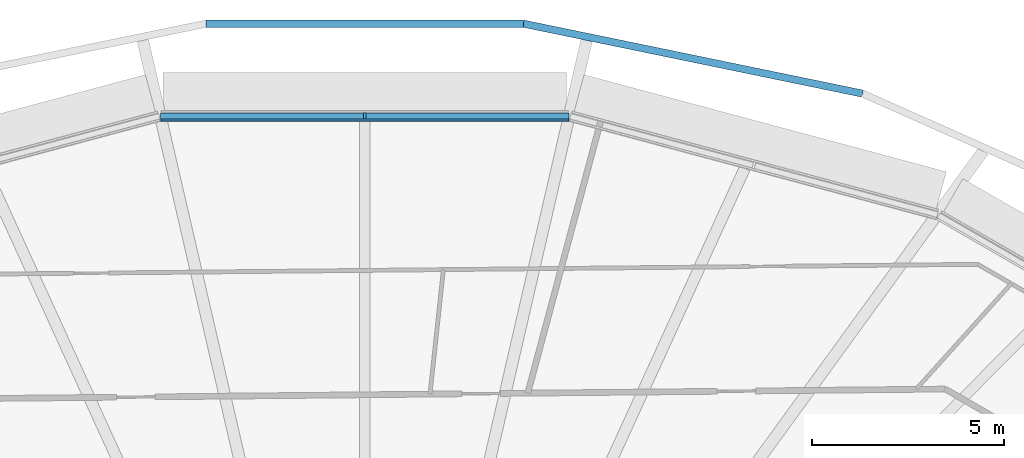
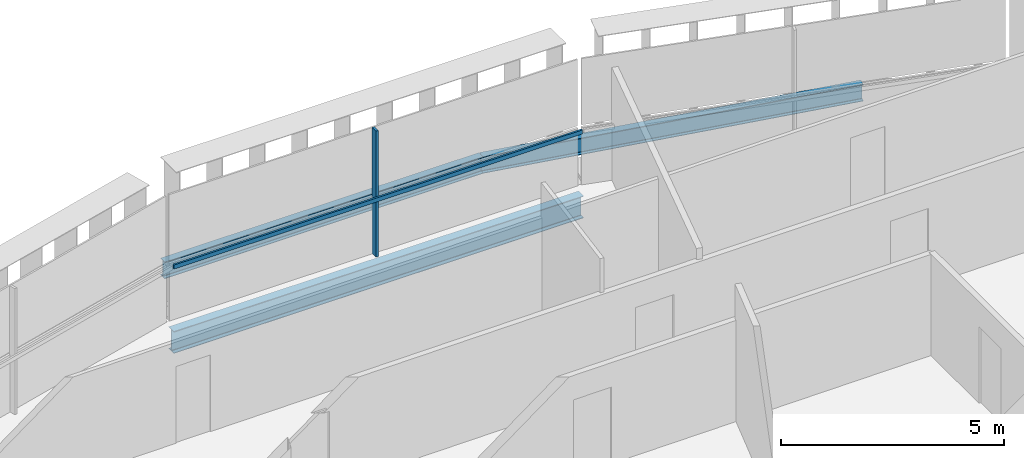
# One storey, part 8 of 22: 3 beams, 2 members, 1 element without a shape of its own.
"""IFC4 building model written with IfcOpenShell, lengths in metres."""

from ifc_helpers import new_model, si_unit, direction, frame, origin, origin_2d, place, context, subcontext, project, spatial, rectangle, i_section, extrude, material, layer, layer_set, material_profile, profile_set, type_object, element, aggregate, save


model = new_model("IFC4")

# Units and contexts
model_context = context("Model", 3, precision=1e-05, world=origin(), true_north=direction((0.0, 1.0)))
body_context = subcontext(model_context, "Body", "Model", "MODEL_VIEW")
ifc_project = project(units=[si_unit("LENGTHUNIT", "METRE"), si_unit("AREAUNIT", "SQUARE_METRE"), si_unit("VOLUMEUNIT", "CUBIC_METRE"), si_unit("PLANEANGLEUNIT", "RADIAN"), si_unit("MASSUNIT", "GRAM", prefix="KILO")], contexts=[model_context])

# Site, building, storey
site_placement = place(None, origin())
site = spatial("IfcSite", under=ifc_project, at=site_placement, CompositionType="ELEMENT")
building_placement = place(site_placement, origin())
building = spatial("IfcBuilding", under=site, at=building_placement, Name="Sahrelin Media Tower", CompositionType="ELEMENT")
storey_placement = place(building_placement, frame((0.0, 0.0, 189.60009765625)))
storey = spatial("IfcBuildingStorey", under=building, at=storey_placement, Name="L40", CompositionType="ELEMENT", Elevation=189.60009765625)

# Beam
ifc_material_1 = material(Name="Steel S355", Category="steel")
ifc_material_profile_1 = material_profile(ifc_material_1, i_section(OverallWidth=0.2275390625, OverallDepth=0.6025390625, WebThickness=0.010498046875, FlangeThickness=0.014892578125, FilletRadius=0.0126953125, at=origin_2d()), Name="UB 610x229x101")
ifc_profile_set_1 = profile_set([ifc_material_profile_1], Name="Steel S355")
beam_type_1 = type_object("IfcBeamType", Name="Edge beam EB7", PredefinedType="BEAM", material=ifc_profile_set_1)
beam_1_placement = place(storey_placement, frame((-5.305419921875, 22.97900390625, -0.451416015625), z_axis=(1.0, 0.0, 0.0), x_axis=(0.0, 1.0, 0.0)))
element("IfcBeam", 1, at=beam_1_placement, inside=storey, type_object=beam_type_1, Name="Edge beam L40-19", PredefinedType="BEAM", context=body_context, shape_type="SweptSolid", body=[
    extrude(i_section(OverallWidth=0.2275390625, OverallDepth=0.6025390625, WebThickness=0.010498046875, FlangeThickness=0.014892578125, FilletRadius=0.0126953125, at=origin_2d()), origin(), (0.0, 0.0, 1.0), 10.61083984375),
])

# Curtain wall, member
ifc_material_2 = material(Name="Champagne anodised aluminium 6063-T6", Category="aluminium")
ifc_layer = layer(ifc_material_2, 0.14990234375)
ifc_layer_set = layer_set([ifc_layer], Name="Tower ribbon curtain wall")
curtain_wall_type = type_object("IfcCurtainWallType", Name="Tower ribbon curtain wall", PredefinedType="NOTDEFINED", material=ifc_layer_set)
curtain_wall_placement = place(storey_placement, frame((0.0, 23.12890625, 0.0), z_axis=(0.0, 0.0, 1.0), x_axis=(1.0, 0.0, 0.0)))
curtain_wall = element("IfcCurtainWall", 2, at=curtain_wall_placement, inside=storey, type_object=curtain_wall_type, Name="L40:CW:L40-06", PredefinedType="NOTDEFINED")
ifc_material_profile_2 = material_profile(ifc_material_2, rectangle(XDim=0.06005859375, YDim=0.175048828125, at=origin_2d()), Name="Mullion 60x175")
ifc_profile_set_2 = profile_set([ifc_material_profile_2], Name="Champagne anodised aluminium 6063-T6")
member_type_1 = type_object("IfcMemberType", Name="Mullion 60x175 CW1B", PredefinedType="MULLION", material=ifc_profile_set_2)
member_1_placement = place(storey_placement, frame((0.0, 23.021484375, 0.0), z_axis=(0.0, 0.0, 1.0), x_axis=(-1.0, 0.0, 0.0)))
member_1 = element("IfcMember", 3, at=member_1_placement, type_object=member_type_1, Name="L40:CWM:L40-06", PredefinedType="MULLION", context=body_context, shape_type="SweptSolid", body=[
    extrude(rectangle(XDim=0.06005859375, YDim=0.175048828125, at=origin_2d()), origin(), (0.0, 0.0, 1.0), 3.448486328125),
])

# Beams
ifc_material_profile_3 = material_profile(ifc_material_1, i_section(OverallWidth=0.1904296875, OverallDepth=0.45703125, WebThickness=0.009033203125, FlangeThickness=0.014404296875, FilletRadius=0.01025390625, at=origin_2d()), Name="UB 457x191x74")
ifc_profile_set_3 = profile_set([ifc_material_profile_3], Name="Steel S355")
beam_type_2 = type_object("IfcBeamType", Name="Tie chord TC5", PredefinedType="BEAM", material=ifc_profile_set_3)
beam_2_placement = place(storey_placement, frame((12.93994140625, 23.59521484375, -0.378662109375), z_axis=(-0.979392100264, 0.201968101292, 0.0), x_axis=(-0.201968101292, -0.979392100264, 0.0)))
element("IfcBeam", 4, at=beam_2_placement, inside=storey, type_object=beam_type_2, Name="Tie chord L40-05", PredefinedType="BEAM", context=body_context, shape_type="SweptSolid", body=[
    extrude(i_section(OverallWidth=0.1904296875, OverallDepth=0.45703125, WebThickness=0.009033203125, FlangeThickness=0.014404296875, FilletRadius=0.01025390625, at=origin_2d()), origin(), (0.0, 0.0, 1.0), 9.00439453125),
])
beam_3_placement = place(storey_placement, frame((4.12109375, 25.413818359375, -0.378662109375), z_axis=(-1.0, 0.0, 0.0), x_axis=(0.0, -1.0, 0.0)))
element("IfcBeam", 5, at=beam_3_placement, inside=storey, type_object=beam_type_2, Name="Tie chord L40-06", PredefinedType="BEAM", context=body_context, shape_type="SweptSolid", body=[
    extrude(i_section(OverallWidth=0.1904296875, OverallDepth=0.45703125, WebThickness=0.009033203125, FlangeThickness=0.014404296875, FilletRadius=0.01025390625, at=origin_2d()), origin(), (0.0, 0.0, 1.0), 8.2421875),
])

# Member
ifc_material_profile_4 = material_profile(ifc_material_2, rectangle(XDim=0.050048828125, YDim=0.110107421875, at=origin_2d()), Name="Transom 50x110")
ifc_profile_set_4 = profile_set([ifc_material_profile_4], Name="Champagne anodised aluminium 6063-T6")
member_type_2 = type_object("IfcMemberType", Name="Transom 50x110 CW1B", PredefinedType="USERDEFINED", material=ifc_profile_set_4)
member_2_placement = place(storey_placement, frame((5.28955078125, 22.908935546875, 1.599853515625), z_axis=(-1.0, 0.0, 0.0), x_axis=(0.0, -1.0, 0.0)))
member_2 = element("IfcMember", 6, at=member_2_placement, type_object=member_type_2, Name="L40:CWT:L40-06", ObjectType="TRANSOM", PredefinedType="USERDEFINED", context=body_context, shape_type="SweptSolid", body=[
    extrude(rectangle(XDim=0.050048828125, YDim=0.110107421875, at=origin_2d()), origin(), (0.0, 0.0, 1.0), 10.5791015625),
])

aggregate(curtain_wall, [member_1, member_2])

save(model, "model.ifc")
